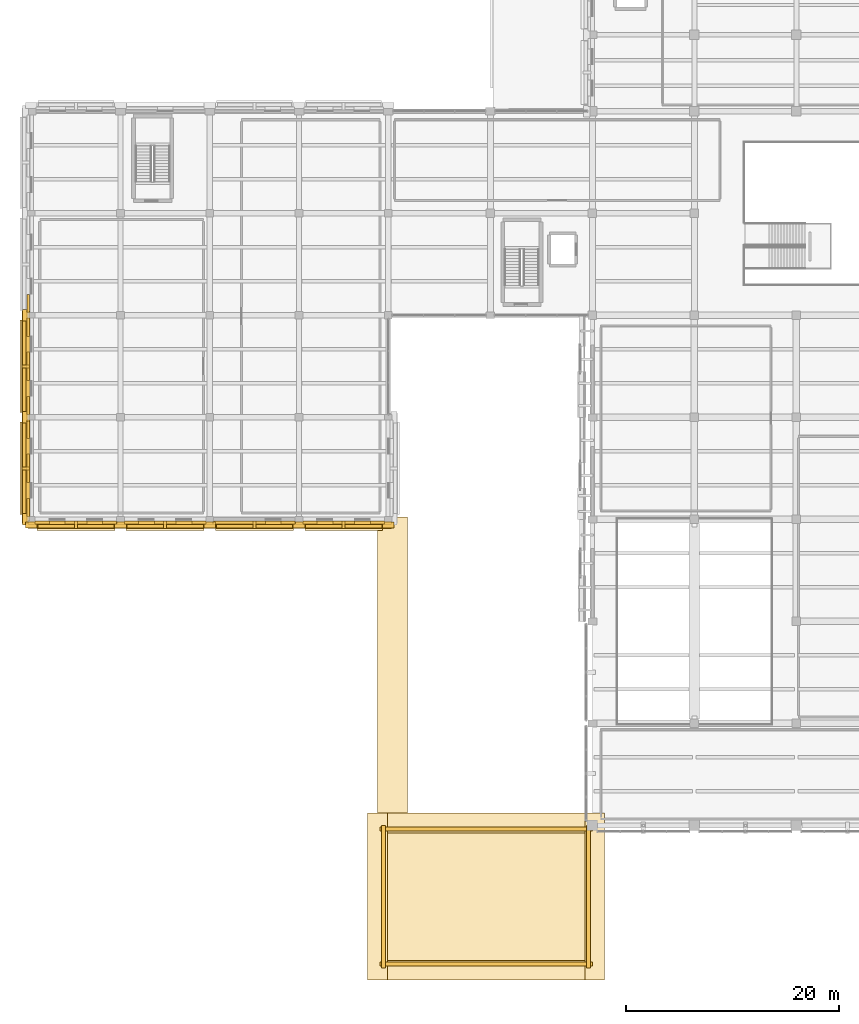
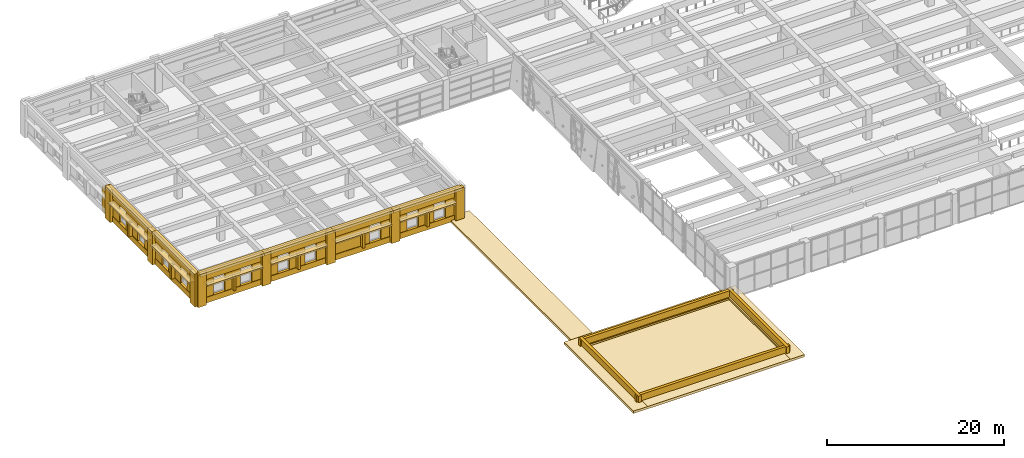
# One storey, part 39 of 49: 66 coverings, 6 shading devices.
"""IFC4 building model written with IfcOpenShell, lengths in metres."""

from ifc_helpers import new_model, si_unit, direction, frame, origin, origin_2d, place, context, subcontext, project, spatial, polyline, rectangle, outline, extrude, material, layer, layer_set, type_object, element, save


model = new_model("IFC4")

# Units and contexts
model_context = context("Model", 3, precision=1e-05, world=origin(), true_north=direction((0.0, 1.0)))
body_context = subcontext(model_context, "Body", "Model", "MODEL_VIEW")
ifc_project = project(units=[si_unit("LENGTHUNIT", "METRE"), si_unit("AREAUNIT", "SQUARE_METRE"), si_unit("VOLUMEUNIT", "CUBIC_METRE"), si_unit("PLANEANGLEUNIT", "RADIAN"), si_unit("MASSUNIT", "GRAM", prefix="KILO")], contexts=[model_context])

# Site, building, storey
site_placement = place(None, origin())
site = spatial("IfcSite", under=ifc_project, at=site_placement, CompositionType="ELEMENT")
building_placement = place(site_placement, origin())
building = spatial("IfcBuilding", under=site, at=building_placement, Name="Bempovik Park Faculty of Sciences", CompositionType="ELEMENT")
storey_placement = place(building_placement, frame((0.0, 0.0, 5.39990234375)))
storey = spatial("IfcBuildingStorey", under=building, at=storey_placement, Name="L01", CompositionType="ELEMENT", Elevation=5.39990234375)

# Coverings
ifc_material_1 = material(Name="Precast concrete C40/50", Category="concrete")
ifc_layer_1 = layer(ifc_material_1, 0.179931640625)
ifc_layer_set_1 = layer_set([ifc_layer_1], Name="Precast concrete C40/50")
covering_type_1 = type_object("IfcCoveringType", Name="CL-02 Classical Cornice Band 180mm", PredefinedType="CLADDING", material=ifc_layer_set_1)
covering_1_placement = place(storey_placement, frame((11.39990234375, 48.10009765625, 4.14013671875), z_axis=(0.0, 0.0, 1.0), x_axis=(1.0, 0.0, 0.0)))
element("IfcCovering", 1, at=covering_1_placement, inside=storey, type_object=covering_type_1, Name="L01 Classical Projecting Dentil Cornice EW-L01-6432", PredefinedType="CLADDING", context=body_context, shape_type="SweptSolid", body=[
    extrude(rectangle(XDim=9.02587890625, YDim=0.719970703125, at=origin_2d()), origin(), (0.0, 0.0, 1.0), 0.360107421875),
])
covering_2_placement = place(storey_placement, frame((11.39990234375, 48.0, 2.6103515625), z_axis=(0.0, 0.0, 1.0), x_axis=(1.0, 0.0, 0.0)))
element("IfcCovering", 2, at=covering_2_placement, inside=storey, type_object=covering_type_1, Name="L01 Classical Stone Solar Window Hood EW-L01-6432", PredefinedType="CLADDING", context=body_context, shape_type="SweptSolid", body=[
    extrude(rectangle(XDim=7.325927734375, YDim=0.919921875, at=origin_2d()), origin(), (0.0, 0.0, 1.0), 0.219970703125),
])
covering_3_placement = place(storey_placement, frame((19.800048828125, 48.10009765625, 4.14013671875), z_axis=(0.0, 0.0, 1.0), x_axis=(1.0, 0.0, 0.0)))
element("IfcCovering", 3, at=covering_3_placement, inside=storey, type_object=covering_type_1, Name="L01 Classical Projecting Dentil Cornice EW-L01-6446", PredefinedType="CLADDING", context=body_context, shape_type="SweptSolid", body=[
    extrude(rectangle(XDim=9.02587890625, YDim=0.719970703125, at=origin_2d()), origin(), (0.0, 0.0, 1.0), 0.360107421875),
])
covering_4_placement = place(storey_placement, frame((19.800048828125, 48.0, 2.6103515625), z_axis=(0.0, 0.0, 1.0), x_axis=(1.0, 0.0, 0.0)))
element("IfcCovering", 4, at=covering_4_placement, inside=storey, type_object=covering_type_1, Name="L01 Classical Stone Solar Window Hood EW-L01-6446", PredefinedType="CLADDING", context=body_context, shape_type="SweptSolid", body=[
    extrude(rectangle(XDim=7.325927734375, YDim=0.919921875, at=origin_2d()), origin(), (0.0, 0.0, 1.0), 0.219970703125),
])
covering_5_placement = place(storey_placement, frame((28.199951171875, 48.10009765625, 4.14013671875), z_axis=(0.0, 0.0, 1.0), x_axis=(1.0, 0.0, 0.0)))
element("IfcCovering", 5, at=covering_5_placement, inside=storey, type_object=covering_type_1, Name="L01 Classical Projecting Dentil Cornice EW-L01-6459", PredefinedType="CLADDING", context=body_context, shape_type="SweptSolid", body=[
    extrude(rectangle(XDim=9.02587890625, YDim=0.719970703125, at=origin_2d()), origin(), (0.0, 0.0, 1.0), 0.360107421875),
])
covering_6_placement = place(storey_placement, frame((28.199951171875, 48.0, 2.6103515625), z_axis=(0.0, 0.0, 1.0), x_axis=(1.0, 0.0, 0.0)))
element("IfcCovering", 6, at=covering_6_placement, inside=storey, type_object=covering_type_1, Name="L01 Classical Stone Solar Window Hood EW-L01-6459", PredefinedType="CLADDING", context=body_context, shape_type="SweptSolid", body=[
    extrude(rectangle(XDim=7.325927734375, YDim=0.919921875, at=origin_2d()), origin(), (0.0, 0.0, 1.0), 0.219970703125),
])
covering_7_placement = place(storey_placement, frame((36.60009765625, 48.10009765625, 4.14013671875), z_axis=(0.0, 0.0, 1.0), x_axis=(1.0, 0.0, 0.0)))
element("IfcCovering", 7, at=covering_7_placement, inside=storey, type_object=covering_type_1, Name="L01 Classical Projecting Dentil Cornice EW-L01-6470", PredefinedType="CLADDING", context=body_context, shape_type="SweptSolid", body=[
    extrude(rectangle(XDim=9.02587890625, YDim=0.719970703125, at=origin_2d()), origin(), (0.0, 0.0, 1.0), 0.360107421875),
])
covering_8_placement = place(storey_placement, frame((36.60009765625, 48.0, 2.6103515625), z_axis=(0.0, 0.0, 1.0), x_axis=(1.0, 0.0, 0.0)))
element("IfcCovering", 8, at=covering_8_placement, inside=storey, type_object=covering_type_1, Name="L01 Classical Stone Solar Window Hood EW-L01-6470", PredefinedType="CLADDING", context=body_context, shape_type="SweptSolid", body=[
    extrude(rectangle(XDim=7.325927734375, YDim=0.919921875, at=origin_2d()), origin(), (0.0, 0.0, 1.0), 0.219970703125),
])
covering_9_placement = place(storey_placement, frame((6.699951171875, 53.39990234375, 4.14013671875), z_axis=(0.0, 0.0, 1.0), x_axis=(1.0, 0.0, 0.0)))
element("IfcCovering", 9, at=covering_9_placement, inside=storey, type_object=covering_type_1, Name="L01 Classical Projecting Dentil Cornice EW-L01-6483", PredefinedType="CLADDING", context=body_context, shape_type="SweptSolid", body=[
    extrude(rectangle(XDim=0.719970703125, YDim=10.406005859375, at=origin_2d()), origin(), (0.0, 0.0, 1.0), 0.360107421875),
])
covering_10_placement = place(storey_placement, frame((6.60009765625, 53.39990234375, 2.6103515625), z_axis=(0.0, 0.0, 1.0), x_axis=(1.0, 0.0, 0.0)))
element("IfcCovering", 10, at=covering_10_placement, inside=storey, type_object=covering_type_1, Name="L01 Classical Stone Solar Window Hood EW-L01-6483", PredefinedType="CLADDING", context=body_context, shape_type="SweptSolid", body=[
    extrude(rectangle(XDim=0.919921875, YDim=8.7060546875, at=origin_2d()), origin(), (0.0, 0.0, 1.0), 0.219970703125),
])
covering_11_placement = place(storey_placement, frame((6.699951171875, 63.0, 4.14013671875), z_axis=(0.0, 0.0, 1.0), x_axis=(1.0, 0.0, 0.0)))
element("IfcCovering", 11, at=covering_11_placement, inside=storey, type_object=covering_type_1, Name="L01 Classical Projecting Dentil Cornice EW-L01-6497", PredefinedType="CLADDING", context=body_context, shape_type="SweptSolid", body=[
    extrude(rectangle(XDim=0.719970703125, YDim=10.406005859375, at=origin_2d()), origin(), (0.0, 0.0, 1.0), 0.360107421875),
])
covering_12_placement = place(storey_placement, frame((6.60009765625, 63.0, 2.6103515625), z_axis=(0.0, 0.0, 1.0), x_axis=(1.0, 0.0, 0.0)))
element("IfcCovering", 12, at=covering_12_placement, inside=storey, type_object=covering_type_1, Name="L01 Classical Stone Solar Window Hood EW-L01-6497", PredefinedType="CLADDING", context=body_context, shape_type="SweptSolid", body=[
    extrude(rectangle(XDim=0.919921875, YDim=8.7060546875, at=origin_2d()), origin(), (0.0, 0.0, 1.0), 0.219970703125),
])
for number, where, z_axis, x_axis, name in (
    (13, (50.0, 6.175048828125, -0.06982421875), (0.0, 0.0, 1.0), (1.0, 0.0, 0.0), "Classical Deep Overhanging Stone Eave COLW-S"),
    (14, (50.0, 20.02490234375, -0.06982421875), (0.0, 0.0, 1.0), (1.0, 0.0, 0.0), "Classical Deep Overhanging Stone Eave COLW-N"),
):
    element("IfcCovering", number, at=place(storey_placement, frame(where, z_axis=z_axis, x_axis=x_axis)), inside=storey, type_object=covering_type_1, Name=name, PredefinedType="CLADDING", context=body_context, shape_type="SweptSolid", body=[
        extrude(rectangle(XDim=22.300048828125, YDim=1.85009765625, at=origin_2d()), origin(), (0.0, 0.0, 1.0), 0.340087890625),
    ])
for number, where, z_axis, x_axis, name in (
    (15, (39.77490234375, 13.10009765625, -0.06982421875), (0.0, 0.0, 1.0), (1.0, 0.0, 0.0), "Classical Deep Overhanging Stone Eave COLW-W"),
    (16, (60.22509765625, 13.10009765625, -0.06982421875), (0.0, 0.0, 1.0), (1.0, 0.0, 0.0), "Classical Deep Overhanging Stone Eave COLW-E"),
):
    element("IfcCovering", number, at=place(storey_placement, frame(where, z_axis=z_axis, x_axis=x_axis)), inside=storey, type_object=covering_type_1, Name=name, PredefinedType="CLADDING", context=body_context, shape_type="SweptSolid", body=[
        extrude(rectangle(XDim=1.85009765625, YDim=15.699951171875, at=origin_2d()), origin(), (0.0, 0.0, 1.0), 0.340087890625),
    ])
covering_13_placement = place(storey_placement, frame((41.199951171875, 34.14990234375, -0.1201171875), z_axis=(0.0, 0.0, 1.0), x_axis=(1.0, 0.0, 0.0)))
element("IfcCovering", 17, at=covering_13_placement, inside=storey, type_object=covering_type_1, Name="Classical Garden Arcade Deep Stone Eave W", PredefinedType="CLADDING", context=body_context, shape_type="SweptSolid", body=[
    extrude(rectangle(XDim=2.800048828125, YDim=29.300048828125, at=origin_2d()), origin(), (0.0, 0.0, 1.0), 0.320068359375),
])
ifc_material_2 = material(Name="White reconstituted limestone precast C40/50", Category="masonry")
ifc_layer_2 = layer(ifc_material_2, 0.239990234375)
ifc_layer_set_2 = layer_set([ifc_layer_2], Name="White reconstituted limestone precast C40/50")
covering_type_2 = type_object("IfcCoveringType", Name="CL-03 Classical Fluted Limestone Pilaster 240mm", PredefinedType="CLADDING", material=ifc_layer_set_2)
covering_14_placement = place(storey_placement, frame((11.39990234375, 48.2900390625, 3.22021484375), z_axis=(0.0, 0.0, 1.0), x_axis=(1.0, 0.0, 0.0)))
element("IfcCovering", 18, at=covering_14_placement, inside=storey, type_object=covering_type_2, Name="L01 Classical Limestone Spandrel Entablature EW-L01-6432", PredefinedType="CLADDING", context=body_context, shape_type="SweptSolid", body=[
    extrude(rectangle(XDim=9.02587890625, YDim=0.340087890625, at=origin_2d()), origin(), (0.0, 0.0, 1.0), 1.280029296875),
])
covering_15_placement = place(storey_placement, frame((11.39990234375, 48.2900390625, 0.0), z_axis=(0.0, 0.0, 1.0), x_axis=(1.0, 0.0, 0.0)))
element("IfcCovering", 19, at=covering_15_placement, inside=storey, type_object=covering_type_2, Name="L01 Classical Limestone Sill Dado EW-L01-6432", PredefinedType="CLADDING", context=body_context, shape_type="SweptSolid", body=[
    extrude(rectangle(XDim=9.02587890625, YDim=0.340087890625, at=origin_2d()), origin(), (0.0, 0.0, 1.0), 0.780029296875),
])
for number, where, z_axis, x_axis, name in (
    (20, (7.199951171875, 48.070068359375, 0.0), (0.0, 0.0, 1.0), (1.0, 0.0, 0.0), "L01 Classical Fluted Stone Pilaster PIL-BA-L01-72-481"),
    (21, (15.60009765625, 48.070068359375, 0.0), (0.0, 0.0, 1.0), (1.0, 0.0, 0.0), "L01 Classical Fluted Stone Pilaster PIL-BA-L01-156-481"),
):
    element("IfcCovering", number, at=place(storey_placement, frame(where, z_axis=z_axis, x_axis=x_axis)), inside=storey, type_object=covering_type_2, Name=name, PredefinedType="CLADDING", context=body_context, shape_type="SweptSolid", body=[
        extrude(rectangle(XDim=1.10009765625, YDim=0.580078125, at=origin_2d()), origin(), (0.0, 0.0, 1.0), 4.5),
    ])
covering_16_placement = place(storey_placement, frame((8.228271484375, 48.300048828125, 0.000244140625), z_axis=(0.0, 0.0, 1.0), x_axis=(1.0, 0.0, 0.0)))
element("IfcCovering", 22, at=covering_16_placement, inside=storey, type_object=covering_type_2, Name="L01 White Limestone Wall Cheek EW-L01-6432-0", PredefinedType="CLADDING", context=body_context, shape_type="SweptSolid", body=[
    extrude(rectangle(XDim=1.33251953125, YDim=0.239990234375, at=origin_2d()), origin(), (0.0, 0.0, 1.0), 3.3798828125),
])
covering_17_placement = place(storey_placement, frame((11.39990234375, 48.300048828125, 0.000244140625), z_axis=(0.0, 0.0, 1.0), x_axis=(1.0, 0.0, 0.0)))
element("IfcCovering", 23, at=covering_17_placement, inside=storey, type_object=covering_type_2, Name="L01 White Limestone Wall Cheek EW-L01-6432-2", PredefinedType="CLADDING", context=body_context, shape_type="SweptSolid", body=[
    extrude(rectangle(XDim=2.051025390625, YDim=0.239990234375, at=origin_2d()), origin(), (0.0, 0.0, 1.0), 3.3798828125),
])
covering_18_placement = place(storey_placement, frame((14.57177734375, 48.300048828125, 0.000244140625), z_axis=(0.0, 0.0, 1.0), x_axis=(1.0, 0.0, 0.0)))
element("IfcCovering", 24, at=covering_18_placement, inside=storey, type_object=covering_type_2, Name="L01 White Limestone Wall Cheek EW-L01-6432-4", PredefinedType="CLADDING", context=body_context, shape_type="SweptSolid", body=[
    extrude(rectangle(XDim=1.33251953125, YDim=0.239990234375, at=origin_2d()), origin(), (0.0, 0.0, 1.0), 3.3798828125),
])
covering_19_placement = place(storey_placement, frame((11.39990234375, 48.090087890625, 0.7001953125), z_axis=(0.0, 0.0, 1.0), x_axis=(1.0, 0.0, 0.0)))
element("IfcCovering", 25, at=covering_19_placement, inside=storey, type_object=covering_type_2, Name="L01 Classical Vertical Stone Shading Fin EW-L01-6432", PredefinedType="CLADDING", context=body_context, shape_type="SweptSolid", body=[
    extrude(rectangle(XDim=0.280029296875, YDim=0.719970703125, at=origin_2d()), origin(), (0.0, 0.0, 1.0), 1.949951171875),
])
covering_20_placement = place(storey_placement, frame((19.800048828125, 48.2900390625, 3.22021484375), z_axis=(0.0, 0.0, 1.0), x_axis=(1.0, 0.0, 0.0)))
element("IfcCovering", 26, at=covering_20_placement, inside=storey, type_object=covering_type_2, Name="L01 Classical Limestone Spandrel Entablature EW-L01-6446", PredefinedType="CLADDING", context=body_context, shape_type="SweptSolid", body=[
    extrude(rectangle(XDim=9.02587890625, YDim=0.340087890625, at=origin_2d()), origin(), (0.0, 0.0, 1.0), 1.280029296875),
])
covering_21_placement = place(storey_placement, frame((19.800048828125, 48.2900390625, 0.0), z_axis=(0.0, 0.0, 1.0), x_axis=(1.0, 0.0, 0.0)))
element("IfcCovering", 27, at=covering_21_placement, inside=storey, type_object=covering_type_2, Name="L01 Classical Limestone Sill Dado EW-L01-6446", PredefinedType="CLADDING", context=body_context, shape_type="SweptSolid", body=[
    extrude(rectangle(XDim=9.02587890625, YDim=0.340087890625, at=origin_2d()), origin(), (0.0, 0.0, 1.0), 0.780029296875),
])
covering_22_placement = place(storey_placement, frame((24.0, 48.070068359375, 0.0), z_axis=(0.0, 0.0, 1.0), x_axis=(1.0, 0.0, 0.0)))
element("IfcCovering", 28, at=covering_22_placement, inside=storey, type_object=covering_type_2, Name="L01 Classical Fluted Stone Pilaster PIL-BA-L01-240-481", PredefinedType="CLADDING", context=body_context, shape_type="SweptSolid", body=[
    extrude(rectangle(XDim=1.10009765625, YDim=0.580078125, at=origin_2d()), origin(), (0.0, 0.0, 1.0), 4.5),
])
covering_23_placement = place(storey_placement, frame((16.62841796875, 48.300048828125, 0.000244140625), z_axis=(0.0, 0.0, 1.0), x_axis=(1.0, 0.0, 0.0)))
element("IfcCovering", 29, at=covering_23_placement, inside=storey, type_object=covering_type_2, Name="L01 White Limestone Wall Cheek EW-L01-6446-0", PredefinedType="CLADDING", context=body_context, shape_type="SweptSolid", body=[
    extrude(rectangle(XDim=1.33251953125, YDim=0.239990234375, at=origin_2d()), origin(), (0.0, 0.0, 1.0), 3.3798828125),
])
covering_24_placement = place(storey_placement, frame((19.800048828125, 48.300048828125, 0.000244140625), z_axis=(0.0, 0.0, 1.0), x_axis=(1.0, 0.0, 0.0)))
element("IfcCovering", 30, at=covering_24_placement, inside=storey, type_object=covering_type_2, Name="L01 White Limestone Wall Cheek EW-L01-6446-2", PredefinedType="CLADDING", context=body_context, shape_type="SweptSolid", body=[
    extrude(rectangle(XDim=2.051025390625, YDim=0.239990234375, at=origin_2d()), origin(), (0.0, 0.0, 1.0), 3.3798828125),
])
covering_25_placement = place(storey_placement, frame((22.9716796875, 48.300048828125, 0.000244140625), z_axis=(0.0, 0.0, 1.0), x_axis=(1.0, 0.0, 0.0)))
element("IfcCovering", 31, at=covering_25_placement, inside=storey, type_object=covering_type_2, Name="L01 White Limestone Wall Cheek EW-L01-6446-4", PredefinedType="CLADDING", context=body_context, shape_type="SweptSolid", body=[
    extrude(rectangle(XDim=1.33251953125, YDim=0.239990234375, at=origin_2d()), origin(), (0.0, 0.0, 1.0), 3.3798828125),
])
covering_26_placement = place(storey_placement, frame((19.800048828125, 48.090087890625, 0.7001953125), z_axis=(0.0, 0.0, 1.0), x_axis=(1.0, 0.0, 0.0)))
element("IfcCovering", 32, at=covering_26_placement, inside=storey, type_object=covering_type_2, Name="L01 Classical Vertical Stone Shading Fin EW-L01-6446", PredefinedType="CLADDING", context=body_context, shape_type="SweptSolid", body=[
    extrude(rectangle(XDim=0.280029296875, YDim=0.719970703125, at=origin_2d()), origin(), (0.0, 0.0, 1.0), 1.949951171875),
])
covering_27_placement = place(storey_placement, frame((28.199951171875, 48.2900390625, 3.22021484375), z_axis=(0.0, 0.0, 1.0), x_axis=(1.0, 0.0, 0.0)))
element("IfcCovering", 33, at=covering_27_placement, inside=storey, type_object=covering_type_2, Name="L01 Classical Limestone Spandrel Entablature EW-L01-6459", PredefinedType="CLADDING", context=body_context, shape_type="SweptSolid", body=[
    extrude(rectangle(XDim=9.02587890625, YDim=0.340087890625, at=origin_2d()), origin(), (0.0, 0.0, 1.0), 1.280029296875),
])
covering_28_placement = place(storey_placement, frame((28.199951171875, 48.2900390625, 0.0), z_axis=(0.0, 0.0, 1.0), x_axis=(1.0, 0.0, 0.0)))
element("IfcCovering", 34, at=covering_28_placement, inside=storey, type_object=covering_type_2, Name="L01 Classical Limestone Sill Dado EW-L01-6459", PredefinedType="CLADDING", context=body_context, shape_type="SweptSolid", body=[
    extrude(rectangle(XDim=9.02587890625, YDim=0.340087890625, at=origin_2d()), origin(), (0.0, 0.0, 1.0), 0.780029296875),
])
covering_29_placement = place(storey_placement, frame((32.39990234375, 48.070068359375, 0.0), z_axis=(0.0, 0.0, 1.0), x_axis=(1.0, 0.0, 0.0)))
element("IfcCovering", 35, at=covering_29_placement, inside=storey, type_object=covering_type_2, Name="L01 Classical Fluted Stone Pilaster PIL-BA-L01-324-481", PredefinedType="CLADDING", context=body_context, shape_type="SweptSolid", body=[
    extrude(rectangle(XDim=1.10009765625, YDim=0.580078125, at=origin_2d()), origin(), (0.0, 0.0, 1.0), 4.5),
])
covering_30_placement = place(storey_placement, frame((26.793701171875, 48.300048828125, 0.000244140625), z_axis=(0.0, 0.0, 1.0), x_axis=(1.0, 0.0, 0.0)))
element("IfcCovering", 36, at=covering_30_placement, inside=storey, type_object=covering_type_2, Name="L01 White Limestone Wall Cheek EW-L01-6459-0", PredefinedType="CLADDING", context=body_context, shape_type="SweptSolid", body=[
    extrude(rectangle(XDim=4.863525390625, YDim=0.239990234375, at=origin_2d()), origin(), (0.0, 0.0, 1.0), 3.3798828125),
])
covering_31_placement = place(storey_placement, frame((31.37158203125, 48.300048828125, 0.000244140625), z_axis=(0.0, 0.0, 1.0), x_axis=(1.0, 0.0, 0.0)))
element("IfcCovering", 37, at=covering_31_placement, inside=storey, type_object=covering_type_2, Name="L01 White Limestone Wall Cheek EW-L01-6459-2", PredefinedType="CLADDING", context=body_context, shape_type="SweptSolid", body=[
    extrude(rectangle(XDim=1.33251953125, YDim=0.239990234375, at=origin_2d()), origin(), (0.0, 0.0, 1.0), 3.3798828125),
])
covering_32_placement = place(storey_placement, frame((28.199951171875, 48.090087890625, 0.7001953125), z_axis=(0.0, 0.0, 1.0), x_axis=(1.0, 0.0, 0.0)))
element("IfcCovering", 38, at=covering_32_placement, inside=storey, type_object=covering_type_2, Name="L01 Classical Vertical Stone Shading Fin EW-L01-6459", PredefinedType="CLADDING", context=body_context, shape_type="SweptSolid", body=[
    extrude(rectangle(XDim=0.280029296875, YDim=0.719970703125, at=origin_2d()), origin(), (0.0, 0.0, 1.0), 1.949951171875),
])
covering_33_placement = place(storey_placement, frame((36.60009765625, 48.2900390625, 3.22021484375), z_axis=(0.0, 0.0, 1.0), x_axis=(1.0, 0.0, 0.0)))
element("IfcCovering", 39, at=covering_33_placement, inside=storey, type_object=covering_type_2, Name="L01 Classical Limestone Spandrel Entablature EW-L01-6470", PredefinedType="CLADDING", context=body_context, shape_type="SweptSolid", body=[
    extrude(rectangle(XDim=9.02587890625, YDim=0.340087890625, at=origin_2d()), origin(), (0.0, 0.0, 1.0), 1.280029296875),
])
covering_34_placement = place(storey_placement, frame((36.60009765625, 48.2900390625, 0.0), z_axis=(0.0, 0.0, 1.0), x_axis=(1.0, 0.0, 0.0)))
element("IfcCovering", 40, at=covering_34_placement, inside=storey, type_object=covering_type_2, Name="L01 Classical Limestone Sill Dado EW-L01-6470", PredefinedType="CLADDING", context=body_context, shape_type="SweptSolid", body=[
    extrude(rectangle(XDim=9.02587890625, YDim=0.340087890625, at=origin_2d()), origin(), (0.0, 0.0, 1.0), 0.780029296875),
])
covering_35_placement = place(storey_placement, frame((40.800048828125, 48.070068359375, 0.0), z_axis=(0.0, 0.0, 1.0), x_axis=(1.0, 0.0, 0.0)))
element("IfcCovering", 41, at=covering_35_placement, inside=storey, type_object=covering_type_2, Name="L01 Classical Fluted Stone Pilaster PIL-BA-L01-408-481", PredefinedType="CLADDING", context=body_context, shape_type="SweptSolid", body=[
    extrude(rectangle(XDim=1.10009765625, YDim=0.580078125, at=origin_2d()), origin(), (0.0, 0.0, 1.0), 4.5),
])
covering_36_placement = place(storey_placement, frame((33.42822265625, 48.300048828125, 0.000244140625), z_axis=(0.0, 0.0, 1.0), x_axis=(1.0, 0.0, 0.0)))
element("IfcCovering", 42, at=covering_36_placement, inside=storey, type_object=covering_type_2, Name="L01 White Limestone Wall Cheek EW-L01-6470-0", PredefinedType="CLADDING", context=body_context, shape_type="SweptSolid", body=[
    extrude(rectangle(XDim=1.33251953125, YDim=0.239990234375, at=origin_2d()), origin(), (0.0, 0.0, 1.0), 3.3798828125),
])
covering_37_placement = place(storey_placement, frame((36.60009765625, 48.300048828125, 0.000244140625), z_axis=(0.0, 0.0, 1.0), x_axis=(1.0, 0.0, 0.0)))
element("IfcCovering", 43, at=covering_37_placement, inside=storey, type_object=covering_type_2, Name="L01 White Limestone Wall Cheek EW-L01-6470-2", PredefinedType="CLADDING", context=body_context, shape_type="SweptSolid", body=[
    extrude(rectangle(XDim=2.051025390625, YDim=0.239990234375, at=origin_2d()), origin(), (0.0, 0.0, 1.0), 3.3798828125),
])
covering_38_placement = place(storey_placement, frame((39.771728515625, 48.300048828125, 0.000244140625), z_axis=(0.0, 0.0, 1.0), x_axis=(1.0, 0.0, 0.0)))
element("IfcCovering", 44, at=covering_38_placement, inside=storey, type_object=covering_type_2, Name="L01 White Limestone Wall Cheek EW-L01-6470-4", PredefinedType="CLADDING", context=body_context, shape_type="SweptSolid", body=[
    extrude(rectangle(XDim=1.33251953125, YDim=0.239990234375, at=origin_2d()), origin(), (0.0, 0.0, 1.0), 3.3798828125),
])
covering_39_placement = place(storey_placement, frame((36.60009765625, 48.090087890625, 0.7001953125), z_axis=(0.0, 0.0, 1.0), x_axis=(1.0, 0.0, 0.0)))
element("IfcCovering", 45, at=covering_39_placement, inside=storey, type_object=covering_type_2, Name="L01 Classical Vertical Stone Shading Fin EW-L01-6470", PredefinedType="CLADDING", context=body_context, shape_type="SweptSolid", body=[
    extrude(rectangle(XDim=0.280029296875, YDim=0.719970703125, at=origin_2d()), origin(), (0.0, 0.0, 1.0), 1.949951171875),
])
covering_40_placement = place(storey_placement, frame((6.889892578125, 53.39990234375, 3.22021484375), z_axis=(0.0, 0.0, 1.0), x_axis=(1.0, 0.0, 0.0)))
element("IfcCovering", 46, at=covering_40_placement, inside=storey, type_object=covering_type_2, Name="L01 Classical Limestone Spandrel Entablature EW-L01-6483", PredefinedType="CLADDING", context=body_context, shape_type="SweptSolid", body=[
    extrude(rectangle(XDim=0.340087890625, YDim=10.406005859375, at=origin_2d()), origin(), (0.0, 0.0, 1.0), 1.280029296875),
])
covering_41_placement = place(storey_placement, frame((6.889892578125, 53.39990234375, 0.0), z_axis=(0.0, 0.0, 1.0), x_axis=(1.0, 0.0, 0.0)))
element("IfcCovering", 47, at=covering_41_placement, inside=storey, type_object=covering_type_2, Name="L01 Classical Limestone Sill Dado EW-L01-6483", PredefinedType="CLADDING", context=body_context, shape_type="SweptSolid", body=[
    extrude(rectangle(XDim=0.340087890625, YDim=10.406005859375, at=origin_2d()), origin(), (0.0, 0.0, 1.0), 0.780029296875),
])
for number, where, z_axis, x_axis, name in (
    (48, (6.669921875, 48.60009765625, 0.0), (0.0, 0.0, 1.0), (1.0, 0.0, 0.0), "L01 Classical Fluted Stone Pilaster PIL-BA-L01-67-486"),
    (49, (6.669921875, 58.199951171875, 0.0), (0.0, 0.0, 1.0), (1.0, 0.0, 0.0), "L01 Classical Fluted Stone Pilaster PIL-BA-L01-67-582"),
):
    element("IfcCovering", number, at=place(storey_placement, frame(where, z_axis=z_axis, x_axis=x_axis)), inside=storey, type_object=covering_type_2, Name=name, PredefinedType="CLADDING", context=body_context, shape_type="SweptSolid", body=[
        extrude(rectangle(XDim=0.580078125, YDim=1.10009765625, at=origin_2d()), origin(), (0.0, 0.0, 1.0), 4.5),
    ])
covering_42_placement = place(storey_placement, frame((6.89990234375, 49.724609375, 0.000244140625), z_axis=(0.0, 0.0, 1.0), x_axis=(1.0, 0.0, 0.0)))
element("IfcCovering", 50, at=covering_42_placement, inside=storey, type_object=covering_type_2, Name="L01 White Limestone Wall Cheek EW-L01-6483-0", PredefinedType="CLADDING", context=body_context, shape_type="SweptSolid", body=[
    extrude(rectangle(XDim=0.239990234375, YDim=1.705078125, at=origin_2d()), origin(), (0.0, 0.0, 1.0), 3.3798828125),
])
covering_43_placement = place(storey_placement, frame((6.89990234375, 53.39990234375, 0.000244140625), z_axis=(0.0, 0.0, 1.0), x_axis=(1.0, 0.0, 0.0)))
element("IfcCovering", 51, at=covering_43_placement, inside=storey, type_object=covering_type_2, Name="L01 White Limestone Wall Cheek EW-L01-6483-2", PredefinedType="CLADDING", context=body_context, shape_type="SweptSolid", body=[
    extrude(rectangle(XDim=0.239990234375, YDim=2.685791015625, at=origin_2d()), origin(), (0.0, 0.0, 1.0), 3.3798828125),
])
covering_44_placement = place(storey_placement, frame((6.89990234375, 57.075439453125, 0.000244140625), z_axis=(0.0, 0.0, 1.0), x_axis=(1.0, 0.0, 0.0)))
element("IfcCovering", 52, at=covering_44_placement, inside=storey, type_object=covering_type_2, Name="L01 White Limestone Wall Cheek EW-L01-6483-4", PredefinedType="CLADDING", context=body_context, shape_type="SweptSolid", body=[
    extrude(rectangle(XDim=0.239990234375, YDim=1.705078125, at=origin_2d()), origin(), (0.0, 0.0, 1.0), 3.3798828125),
])
covering_45_placement = place(storey_placement, frame((6.68994140625, 53.39990234375, 0.7001953125), z_axis=(0.0, 0.0, 1.0), x_axis=(1.0, 0.0, 0.0)))
element("IfcCovering", 53, at=covering_45_placement, inside=storey, type_object=covering_type_2, Name="L01 Classical Vertical Stone Shading Fin EW-L01-6483", PredefinedType="CLADDING", context=body_context, shape_type="SweptSolid", body=[
    extrude(rectangle(XDim=0.719970703125, YDim=0.280029296875, at=origin_2d()), origin(), (0.0, 0.0, 1.0), 1.949951171875),
])
covering_46_placement = place(storey_placement, frame((6.889892578125, 63.0, 3.22021484375), z_axis=(0.0, 0.0, 1.0), x_axis=(1.0, 0.0, 0.0)))
element("IfcCovering", 54, at=covering_46_placement, inside=storey, type_object=covering_type_2, Name="L01 Classical Limestone Spandrel Entablature EW-L01-6497", PredefinedType="CLADDING", context=body_context, shape_type="SweptSolid", body=[
    extrude(rectangle(XDim=0.340087890625, YDim=10.406005859375, at=origin_2d()), origin(), (0.0, 0.0, 1.0), 1.280029296875),
])
covering_47_placement = place(storey_placement, frame((6.889892578125, 63.0, 0.0), z_axis=(0.0, 0.0, 1.0), x_axis=(1.0, 0.0, 0.0)))
element("IfcCovering", 55, at=covering_47_placement, inside=storey, type_object=covering_type_2, Name="L01 Classical Limestone Sill Dado EW-L01-6497", PredefinedType="CLADDING", context=body_context, shape_type="SweptSolid", body=[
    extrude(rectangle(XDim=0.340087890625, YDim=10.406005859375, at=origin_2d()), origin(), (0.0, 0.0, 1.0), 0.780029296875),
])
covering_48_placement = place(storey_placement, frame((6.669921875, 67.800048828125, 0.0), z_axis=(0.0, 0.0, 1.0), x_axis=(1.0, 0.0, 0.0)))
element("IfcCovering", 56, at=covering_48_placement, inside=storey, type_object=covering_type_2, Name="L01 Classical Fluted Stone Pilaster PIL-BA-L01-67-678", PredefinedType="CLADDING", context=body_context, shape_type="SweptSolid", body=[
    extrude(rectangle(XDim=0.580078125, YDim=1.10009765625, at=origin_2d()), origin(), (0.0, 0.0, 1.0), 4.5),
])
covering_49_placement = place(storey_placement, frame((6.89990234375, 59.32470703125, 0.000244140625), z_axis=(0.0, 0.0, 1.0), x_axis=(1.0, 0.0, 0.0)))
element("IfcCovering", 57, at=covering_49_placement, inside=storey, type_object=covering_type_2, Name="L01 White Limestone Wall Cheek EW-L01-6497-0", PredefinedType="CLADDING", context=body_context, shape_type="SweptSolid", body=[
    extrude(rectangle(XDim=0.239990234375, YDim=1.705078125, at=origin_2d()), origin(), (0.0, 0.0, 1.0), 3.3798828125),
])
covering_50_placement = place(storey_placement, frame((6.89990234375, 63.0, 0.000244140625), z_axis=(0.0, 0.0, 1.0), x_axis=(1.0, 0.0, 0.0)))
element("IfcCovering", 58, at=covering_50_placement, inside=storey, type_object=covering_type_2, Name="L01 White Limestone Wall Cheek EW-L01-6497-2", PredefinedType="CLADDING", context=body_context, shape_type="SweptSolid", body=[
    extrude(rectangle(XDim=0.239990234375, YDim=2.685791015625, at=origin_2d()), origin(), (0.0, 0.0, 1.0), 3.3798828125),
])
covering_51_placement = place(storey_placement, frame((6.89990234375, 66.67529296875, 0.000244140625), z_axis=(0.0, 0.0, 1.0), x_axis=(1.0, 0.0, 0.0)))
element("IfcCovering", 59, at=covering_51_placement, inside=storey, type_object=covering_type_2, Name="L01 White Limestone Wall Cheek EW-L01-6497-4", PredefinedType="CLADDING", context=body_context, shape_type="SweptSolid", body=[
    extrude(rectangle(XDim=0.239990234375, YDim=1.705078125, at=origin_2d()), origin(), (0.0, 0.0, 1.0), 3.3798828125),
])
covering_52_placement = place(storey_placement, frame((6.68994140625, 63.0, 0.7001953125), z_axis=(0.0, 0.0, 1.0), x_axis=(1.0, 0.0, 0.0)))
element("IfcCovering", 60, at=covering_52_placement, inside=storey, type_object=covering_type_2, Name="L01 Classical Vertical Stone Shading Fin EW-L01-6497", PredefinedType="CLADDING", context=body_context, shape_type="SweptSolid", body=[
    extrude(rectangle(XDim=0.719970703125, YDim=0.280029296875, at=origin_2d()), origin(), (0.0, 0.0, 1.0), 1.949951171875),
])
covering_53_placement = place(storey_placement, frame((6.89990234375, 68.924560546875, 0.000244140625), z_axis=(0.0, 0.0, 1.0), x_axis=(1.0, 0.0, 0.0)))
element("IfcCovering", 61, at=covering_53_placement, inside=storey, type_object=covering_type_2, Name="L01 White Limestone Wall Cheek EW-L01-6510-0", PredefinedType="CLADDING", context=body_context, shape_type="SweptSolid", body=[
    extrude(rectangle(XDim=0.239990234375, YDim=1.705078125, at=origin_2d()), origin(), (0.0, 0.0, 1.0), 3.3798828125),
])
for number, where, z_axis, x_axis, name in (
    (62, (50.0, 6.75, 0.10498046875), (0.0, 0.0, 1.0), (1.0, 0.0, 0.0), "White Limestone Attic Fascia COLW-S"),
    (63, (50.0, 19.449951171875, 0.10498046875), (0.0, 0.0, 1.0), (1.0, 0.0, 0.0), "White Limestone Attic Fascia COLW-N"),
):
    element("IfcCovering", number, at=place(storey_placement, frame(where, z_axis=z_axis, x_axis=x_axis)), inside=storey, type_object=covering_type_2, Name=name, PredefinedType="CLADDING", context=body_context, shape_type="SweptSolid", body=[
        extrude(rectangle(XDim=20.0, YDim=0.360107421875, at=origin_2d()), origin(), (0.0, 0.0, 1.0), 1.050048828125),
    ])
for number, where, z_axis, x_axis, name in (
    (64, (40.35009765625, 13.10009765625, 0.10498046875), (0.0, 0.0, 1.0), (1.0, 0.0, 0.0), "White Limestone Attic Fascia COLW-W"),
    (65, (59.64990234375, 13.10009765625, 0.10498046875), (0.0, 0.0, 1.0), (1.0, 0.0, 0.0), "White Limestone Attic Fascia COLW-E"),
):
    element("IfcCovering", number, at=place(storey_placement, frame(where, z_axis=z_axis, x_axis=x_axis)), inside=storey, type_object=covering_type_2, Name=name, PredefinedType="CLADDING", context=body_context, shape_type="SweptSolid", body=[
        extrude(rectangle(XDim=0.360107421875, YDim=13.39990234375, at=origin_2d()), origin(), (0.0, 0.0, 1.0), 1.050048828125),
    ])
ifc_material_3 = material(Name="Insulated cool-roof membrane")
ifc_layer_3 = layer(ifc_material_3, 0.06005859375)
ifc_layer_set_3 = layer_set([ifc_layer_3], Name="Insulated cool-roof membrane")
covering_type_3 = type_object("IfcCoveringType", Name="RF-01 Cool Roof Membrane 60mm", PredefinedType="ROOFING", material=ifc_layer_set_3)
covering_54_placement = place(storey_placement, origin())
element("IfcCovering", 66, at=covering_54_placement, inside=storey, type_object=covering_type_3, Name="Cool-Roof Membrane RF-COL-W", PredefinedType="ROOFING", context=body_context, shape_type="SweptSolid", body=[
    extrude(outline(polyline([(40.449951171875, 6.85009765625), (59.75, 6.85009765625), (59.75, 19.550048828125), (40.449951171875, 19.550048828125), (40.449951171875, 6.85009765625)])), origin(), (0.0, 0.0, 1.0), 0.06005859375),
])

# Shading devices
ifc_material_4 = material(Name="Anodised architectural bronze")
ifc_layer_4 = layer(ifc_material_4, 0.06005859375)
ifc_layer_set_4 = layer_set([ifc_layer_4], Name="Anodised architectural bronze")
shading_device_type = type_object("IfcShadingDeviceType", Name="SH-01 Bronze Brise-Soleil Fin", PredefinedType="USERDEFINED", material=ifc_layer_set_4)
for number, where, z_axis, x_axis, name in (
    (67, (11.39990234375, 48.1201171875, 2.550048828125), (0.0, 0.0, 1.0), (1.0, 0.0, 0.0), "L01 Equatorial Bronze Brise-Soleil EW-L01-6432"),
    (68, (19.800048828125, 48.1201171875, 2.550048828125), (0.0, 0.0, 1.0), (1.0, 0.0, 0.0), "L01 Equatorial Bronze Brise-Soleil EW-L01-6446"),
    (69, (28.199951171875, 48.1201171875, 2.550048828125), (0.0, 0.0, 1.0), (1.0, 0.0, 0.0), "L01 Equatorial Bronze Brise-Soleil EW-L01-6459"),
    (70, (36.60009765625, 48.1201171875, 2.550048828125), (0.0, 0.0, 1.0), (1.0, 0.0, 0.0), "L01 Equatorial Bronze Brise-Soleil EW-L01-6470"),
):
    element("IfcShadingDevice", number, at=place(storey_placement, frame(where, z_axis=z_axis, x_axis=x_axis)), inside=storey, type_object=shading_device_type, Name=name, ObjectType="BRISE SOLEIL", PredefinedType="USERDEFINED", context=body_context, shape_type="SweptSolid", body=[
        extrude(rectangle(XDim=7.176025390625, YDim=0.64990234375, at=origin_2d()), origin(), (0.0, 0.0, 1.0), 0.06005859375),
    ])
for number, where, z_axis, x_axis, name in (
    (71, (6.719970703125, 53.39990234375, 2.550048828125), (0.0, 0.0, 1.0), (1.0, 0.0, 0.0), "L01 Equatorial Bronze Brise-Soleil EW-L01-6483"),
    (72, (6.719970703125, 63.0, 2.550048828125), (0.0, 0.0, 1.0), (1.0, 0.0, 0.0), "L01 Equatorial Bronze Brise-Soleil EW-L01-6497"),
):
    element("IfcShadingDevice", number, at=place(storey_placement, frame(where, z_axis=z_axis, x_axis=x_axis)), inside=storey, type_object=shading_device_type, Name=name, ObjectType="BRISE SOLEIL", PredefinedType="USERDEFINED", context=body_context, shape_type="SweptSolid", body=[
        extrude(rectangle(XDim=0.64990234375, YDim=8.555908203125, at=origin_2d()), origin(), (0.0, 0.0, 1.0), 0.06005859375),
    ])

save(model, "model.ifc")
